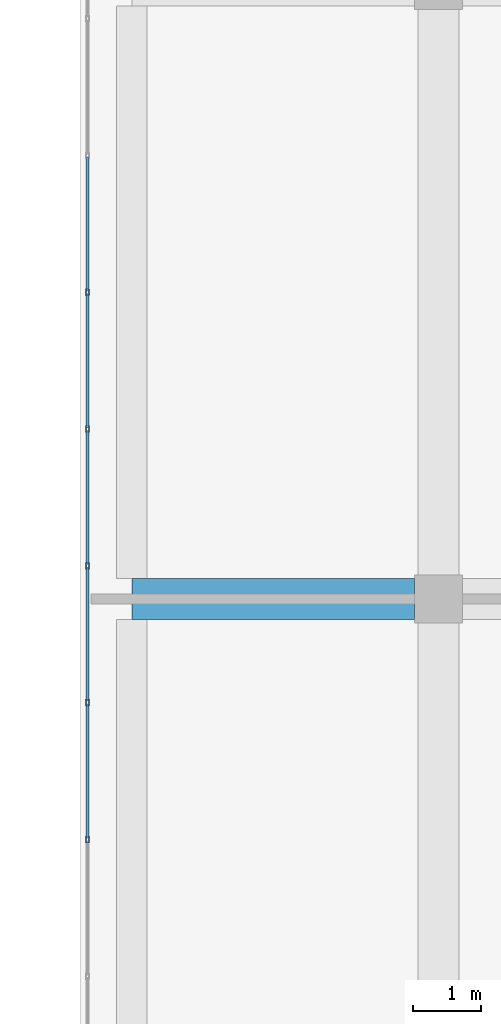
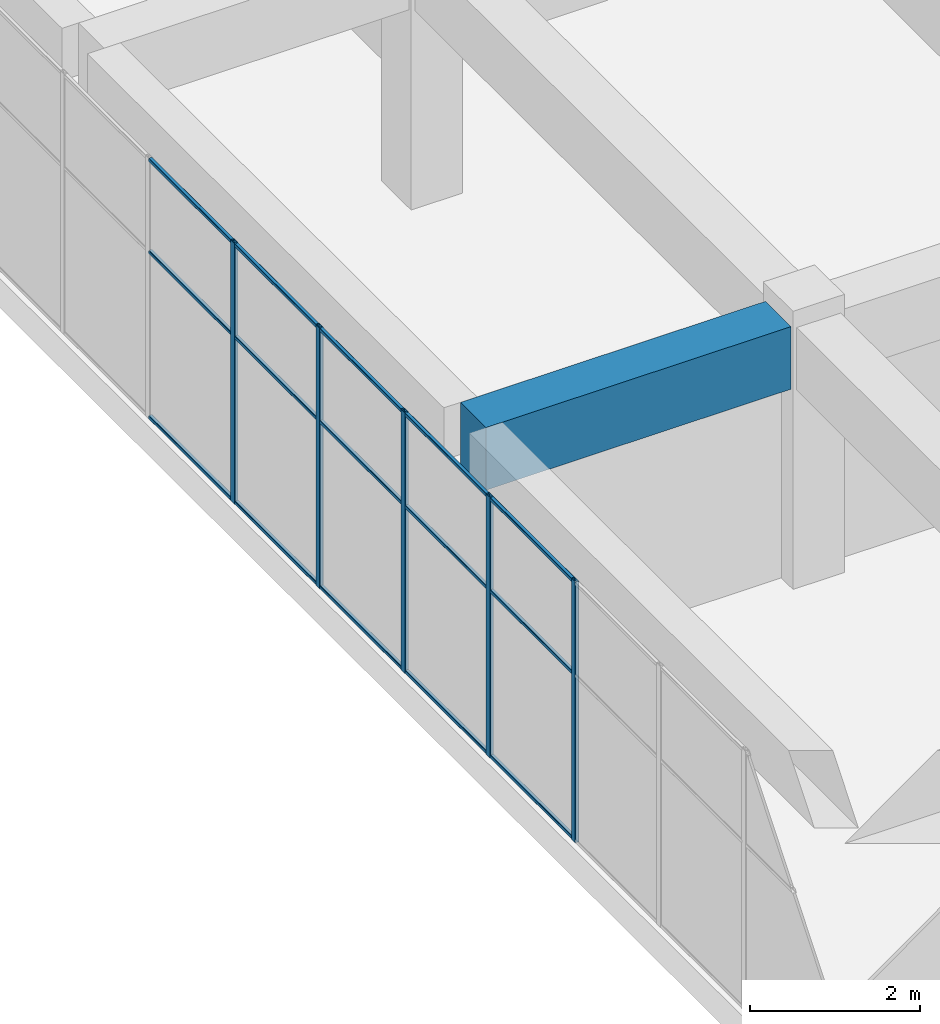
# One storey, part 18 of 49: 20 members, 1 beam, 1 element without a shape of its own.
"""IFC4 building model written with IfcOpenShell, lengths in metres."""

from ifc_helpers import new_model, si_unit, direction, frame, origin, origin_2d, place, context, subcontext, project, spatial, rectangle, hollow_rectangle, extrude, material, layer, layer_set, material_profile, profile_set, type_object, element, aggregate, save


model = new_model("IFC4")

# Units and contexts
model_context = context("Model", 3, precision=1e-05, world=origin(), true_north=direction((0.0, 1.0)))
body_context = subcontext(model_context, "Body", "Model", "MODEL_VIEW")
ifc_project = project(units=[si_unit("LENGTHUNIT", "METRE"), si_unit("AREAUNIT", "SQUARE_METRE"), si_unit("VOLUMEUNIT", "CUBIC_METRE"), si_unit("PLANEANGLEUNIT", "RADIAN"), si_unit("MASSUNIT", "GRAM", prefix="KILO")], contexts=[model_context])

# Site, building, storey
site_placement = place(None, origin())
site = spatial("IfcSite", under=ifc_project, at=site_placement, CompositionType="ELEMENT")
building_placement = place(site_placement, origin())
building = spatial("IfcBuilding", under=site, at=building_placement, Name="Tuart Plaza Theatre", CompositionType="ELEMENT")
storey_placement = place(building_placement, frame((0.0, 0.0, 29.5)))
storey = spatial("IfcBuildingStorey", under=building, at=storey_placement, Name="L07", CompositionType="ELEMENT", Elevation=29.5)

# Beam
ifc_material_1 = material(Name="Concrete N40 (40 MPa)", Category="concrete")
ifc_material_profile_1 = material_profile(ifc_material_1, rectangle(XDim=0.60009765625, YDim=0.89990234375, at=origin_2d()), Name="BEAM 600x900 Concrete N40 (40 MPa)")
ifc_profile_set_1 = profile_set([ifc_material_profile_1], Name="Concrete N40 (40 MPa)")
beam_type = type_object("IfcBeamType", Name="BEAM 600x900 Concrete N40 (40 MPa)", PredefinedType="BEAM", material=ifc_profile_set_1)
beam_placement = place(storey_placement, frame((109.5, 74.0, 3.300048828125), z_axis=(1.0, 0.0, 0.0), x_axis=(0.0, 1.0, 0.0)))
element("IfcBeam", 1, at=beam_placement, inside=storey, type_object=beam_type, Name="RB251", PredefinedType="BEAM", context=body_context, shape_type="SweptSolid", body=[
    extrude(rectangle(XDim=0.60009765625, YDim=0.89990234375, at=origin_2d()), origin(), (0.0, 0.0, 1.0), 4.14990234375),
])

# Curtain wall, members
ifc_material_2 = material(Name="Aluminium and glass", Category="aluminium")
ifc_layer = layer(ifc_material_2, 0.10009765625)
ifc_layer_set = layer_set([ifc_layer], Name="CURTAIN WALL 2000 module")
curtain_wall_type = type_object("IfcCurtainWallType", Name="CURTAIN WALL 2000 module", PredefinedType="NOTDEFINED", material=ifc_layer_set)
curtain_wall_placement = place(storey_placement, origin())
curtain_wall = element("IfcCurtainWall", 2, at=curtain_wall_placement, inside=storey, type_object=curtain_wall_type, Name="CW97", PredefinedType="NOTDEFINED")
ifc_material_3 = material(Name="Aluminium 6063-T5", Category="aluminium")
ifc_material_profile_2 = material_profile(ifc_material_3, hollow_rectangle(XDim=0.050048828125, YDim=0.10009765625, WallThickness=0.00390625, InnerFilletRadius=0.00390625, OuterFilletRadius=0.008056640625, at=origin_2d()), Name="RHS 100x50x4")
ifc_profile_set_2 = profile_set([ifc_material_profile_2], Name="Aluminium 6063-T5")
member_type_1 = type_object("IfcMemberType", Name="MULLION RHS 100x50x4", PredefinedType="MULLION", material=ifc_profile_set_2)
member_1_placement = place(storey_placement, frame((108.85009765625, 78.5, 0.0), z_axis=(0.0, 0.0, 1.0), x_axis=(1.0, 0.0, 0.0)))
member_1 = element("IfcMember", 3, at=member_1_placement, type_object=member_type_1, Name="CW97 mullion 8", PredefinedType="MULLION", context=body_context, shape_type="SweptSolid", body=[
    extrude(hollow_rectangle(XDim=0.050048828125, YDim=0.10009765625, WallThickness=0.00390625, InnerFilletRadius=0.00390625, OuterFilletRadius=0.008056640625, at=origin_2d()), origin(), (0.0, 0.0, 1.0), 3.75),
])
member_2_placement = place(storey_placement, frame((108.85009765625, 76.492919921875, 0.0), z_axis=(0.0, 0.0, 1.0), x_axis=(1.0, 0.0, 0.0)))
member_2 = element("IfcMember", 4, at=member_2_placement, type_object=member_type_1, Name="CW97 mullion 9", PredefinedType="MULLION", context=body_context, shape_type="SweptSolid", body=[
    extrude(hollow_rectangle(XDim=0.050048828125, YDim=0.10009765625, WallThickness=0.00390625, InnerFilletRadius=0.00390625, OuterFilletRadius=0.008056640625, at=origin_2d()), origin(), (0.0, 0.0, 1.0), 3.75),
])
member_3_placement = place(storey_placement, frame((108.85009765625, 74.485595703125, 0.0), z_axis=(0.0, 0.0, 1.0), x_axis=(1.0, 0.0, 0.0)))
member_3 = element("IfcMember", 5, at=member_3_placement, type_object=member_type_1, Name="CW97 mullion 10", PredefinedType="MULLION", context=body_context, shape_type="SweptSolid", body=[
    extrude(hollow_rectangle(XDim=0.050048828125, YDim=0.10009765625, WallThickness=0.00390625, InnerFilletRadius=0.00390625, OuterFilletRadius=0.008056640625, at=origin_2d()), origin(), (0.0, 0.0, 1.0), 3.75),
])
member_4_placement = place(storey_placement, frame((108.85009765625, 72.478515625, 0.0), z_axis=(0.0, 0.0, 1.0), x_axis=(1.0, 0.0, 0.0)))
member_4 = element("IfcMember", 6, at=member_4_placement, type_object=member_type_1, Name="CW97 mullion 11", PredefinedType="MULLION", context=body_context, shape_type="SweptSolid", body=[
    extrude(hollow_rectangle(XDim=0.050048828125, YDim=0.10009765625, WallThickness=0.00390625, InnerFilletRadius=0.00390625, OuterFilletRadius=0.008056640625, at=origin_2d()), origin(), (0.0, 0.0, 1.0), 3.75),
])
member_5_placement = place(storey_placement, frame((108.85009765625, 70.471435546875, 0.0), z_axis=(0.0, 0.0, 1.0), x_axis=(1.0, 0.0, 0.0)))
member_5 = element("IfcMember", 7, at=member_5_placement, type_object=member_type_1, Name="CW97 mullion 12", PredefinedType="MULLION", context=body_context, shape_type="SweptSolid", body=[
    extrude(hollow_rectangle(XDim=0.050048828125, YDim=0.10009765625, WallThickness=0.00390625, InnerFilletRadius=0.00390625, OuterFilletRadius=0.008056640625, at=origin_2d()), origin(), (0.0, 0.0, 1.0), 3.75),
])
ifc_material_4 = material(Name="Aluminium 6063-T5", Category="aluminium")
ifc_material_profile_3 = material_profile(ifc_material_4, hollow_rectangle(XDim=0.050048828125, YDim=0.050048828125, WallThickness=0.00390625, InnerFilletRadius=0.00390625, OuterFilletRadius=0.008056640625, at=origin_2d()), Name="RHS 50x50x4")
ifc_profile_set_3 = profile_set([ifc_material_profile_3], Name="Aluminium 6063-T5")
member_type_2 = type_object("IfcMemberType", Name="TRANSOM RHS 50x50x4", PredefinedType="USERDEFINED", material=ifc_profile_set_3)
member_6_placement = place(storey_placement, frame((108.85009765625, 80.482177734375, 0.02490234375), z_axis=(0.0, -1.0, 0.0), x_axis=(1.0, 0.0, 0.0)))
member_6 = element("IfcMember", 8, at=member_6_placement, type_object=member_type_2, Name="CW97 transom 7.1", ObjectType="TRANSOM", PredefinedType="USERDEFINED", context=body_context, shape_type="SweptSolid", body=[
    extrude(hollow_rectangle(XDim=0.050048828125, YDim=0.050048828125, WallThickness=0.00390625, InnerFilletRadius=0.00390625, OuterFilletRadius=0.008056640625, at=origin_2d()), origin(), (0.0, 0.0, 1.0), 1.957275390625),
])
member_7_placement = place(storey_placement, frame((108.85009765625, 80.482177734375, 2.39990234375), z_axis=(0.0, -1.0, 0.0), x_axis=(1.0, 0.0, 0.0)))
member_7 = element("IfcMember", 9, at=member_7_placement, type_object=member_type_2, Name="CW97 transom 7.2", ObjectType="TRANSOM", PredefinedType="USERDEFINED", context=body_context, shape_type="SweptSolid", body=[
    extrude(hollow_rectangle(XDim=0.050048828125, YDim=0.050048828125, WallThickness=0.00390625, InnerFilletRadius=0.00390625, OuterFilletRadius=0.008056640625, at=origin_2d()), origin(), (0.0, 0.0, 1.0), 1.957275390625),
])
member_8_placement = place(storey_placement, frame((108.85009765625, 80.482177734375, 3.72509765625), z_axis=(0.0, -1.0, 0.0), x_axis=(1.0, 0.0, 0.0)))
member_8 = element("IfcMember", 10, at=member_8_placement, type_object=member_type_2, Name="CW97 transom 7.3", ObjectType="TRANSOM", PredefinedType="USERDEFINED", context=body_context, shape_type="SweptSolid", body=[
    extrude(hollow_rectangle(XDim=0.050048828125, YDim=0.050048828125, WallThickness=0.00390625, InnerFilletRadius=0.00390625, OuterFilletRadius=0.008056640625, at=origin_2d()), origin(), (0.0, 0.0, 1.0), 1.957275390625),
])
member_9_placement = place(storey_placement, frame((108.85009765625, 78.47509765625, 0.02490234375), z_axis=(0.0, -1.0, 0.0), x_axis=(1.0, 0.0, 0.0)))
member_9 = element("IfcMember", 11, at=member_9_placement, type_object=member_type_2, Name="CW97 transom 8.1", ObjectType="TRANSOM", PredefinedType="USERDEFINED", context=body_context, shape_type="SweptSolid", body=[
    extrude(hollow_rectangle(XDim=0.050048828125, YDim=0.050048828125, WallThickness=0.00390625, InnerFilletRadius=0.00390625, OuterFilletRadius=0.008056640625, at=origin_2d()), origin(), (0.0, 0.0, 1.0), 1.957275390625),
])
member_10_placement = place(storey_placement, frame((108.85009765625, 78.47509765625, 2.39990234375), z_axis=(0.0, -1.0, 0.0), x_axis=(1.0, 0.0, 0.0)))
member_10 = element("IfcMember", 12, at=member_10_placement, type_object=member_type_2, Name="CW97 transom 8.2", ObjectType="TRANSOM", PredefinedType="USERDEFINED", context=body_context, shape_type="SweptSolid", body=[
    extrude(hollow_rectangle(XDim=0.050048828125, YDim=0.050048828125, WallThickness=0.00390625, InnerFilletRadius=0.00390625, OuterFilletRadius=0.008056640625, at=origin_2d()), origin(), (0.0, 0.0, 1.0), 1.957275390625),
])
member_11_placement = place(storey_placement, frame((108.85009765625, 78.47509765625, 3.72509765625), z_axis=(0.0, -1.0, 0.0), x_axis=(1.0, 0.0, 0.0)))
member_11 = element("IfcMember", 13, at=member_11_placement, type_object=member_type_2, Name="CW97 transom 8.3", ObjectType="TRANSOM", PredefinedType="USERDEFINED", context=body_context, shape_type="SweptSolid", body=[
    extrude(hollow_rectangle(XDim=0.050048828125, YDim=0.050048828125, WallThickness=0.00390625, InnerFilletRadius=0.00390625, OuterFilletRadius=0.008056640625, at=origin_2d()), origin(), (0.0, 0.0, 1.0), 1.957275390625),
])
member_12_placement = place(storey_placement, frame((108.85009765625, 76.4677734375, 0.02490234375), z_axis=(0.0, -1.0, 0.0), x_axis=(1.0, 0.0, 0.0)))
member_12 = element("IfcMember", 14, at=member_12_placement, type_object=member_type_2, Name="CW97 transom 9.1", ObjectType="TRANSOM", PredefinedType="USERDEFINED", context=body_context, shape_type="SweptSolid", body=[
    extrude(hollow_rectangle(XDim=0.050048828125, YDim=0.050048828125, WallThickness=0.00390625, InnerFilletRadius=0.00390625, OuterFilletRadius=0.008056640625, at=origin_2d()), origin(), (0.0, 0.0, 1.0), 1.95703125),
])
member_13_placement = place(storey_placement, frame((108.85009765625, 76.4677734375, 2.39990234375), z_axis=(0.0, -1.0, 0.0), x_axis=(1.0, 0.0, 0.0)))
member_13 = element("IfcMember", 15, at=member_13_placement, type_object=member_type_2, Name="CW97 transom 9.2", ObjectType="TRANSOM", PredefinedType="USERDEFINED", context=body_context, shape_type="SweptSolid", body=[
    extrude(hollow_rectangle(XDim=0.050048828125, YDim=0.050048828125, WallThickness=0.00390625, InnerFilletRadius=0.00390625, OuterFilletRadius=0.008056640625, at=origin_2d()), origin(), (0.0, 0.0, 1.0), 1.95703125),
])
member_14_placement = place(storey_placement, frame((108.85009765625, 76.4677734375, 3.72509765625), z_axis=(0.0, -1.0, 0.0), x_axis=(1.0, 0.0, 0.0)))
member_14 = element("IfcMember", 16, at=member_14_placement, type_object=member_type_2, Name="CW97 transom 9.3", ObjectType="TRANSOM", PredefinedType="USERDEFINED", context=body_context, shape_type="SweptSolid", body=[
    extrude(hollow_rectangle(XDim=0.050048828125, YDim=0.050048828125, WallThickness=0.00390625, InnerFilletRadius=0.00390625, OuterFilletRadius=0.008056640625, at=origin_2d()), origin(), (0.0, 0.0, 1.0), 1.95703125),
])
member_15_placement = place(storey_placement, frame((108.85009765625, 74.460693359375, 0.02490234375), z_axis=(0.0, -1.0, 0.0), x_axis=(1.0, 0.0, 0.0)))
member_15 = element("IfcMember", 17, at=member_15_placement, type_object=member_type_2, Name="CW97 transom 10.1", ObjectType="TRANSOM", PredefinedType="USERDEFINED", context=body_context, shape_type="SweptSolid", body=[
    extrude(hollow_rectangle(XDim=0.050048828125, YDim=0.050048828125, WallThickness=0.00390625, InnerFilletRadius=0.00390625, OuterFilletRadius=0.008056640625, at=origin_2d()), origin(), (0.0, 0.0, 1.0), 1.95703125),
])
member_16_placement = place(storey_placement, frame((108.85009765625, 74.460693359375, 2.39990234375), z_axis=(0.0, -1.0, 0.0), x_axis=(1.0, 0.0, 0.0)))
member_16 = element("IfcMember", 18, at=member_16_placement, type_object=member_type_2, Name="CW97 transom 10.2", ObjectType="TRANSOM", PredefinedType="USERDEFINED", context=body_context, shape_type="SweptSolid", body=[
    extrude(hollow_rectangle(XDim=0.050048828125, YDim=0.050048828125, WallThickness=0.00390625, InnerFilletRadius=0.00390625, OuterFilletRadius=0.008056640625, at=origin_2d()), origin(), (0.0, 0.0, 1.0), 1.95703125),
])
member_17_placement = place(storey_placement, frame((108.85009765625, 74.460693359375, 3.72509765625), z_axis=(0.0, -1.0, 0.0), x_axis=(1.0, 0.0, 0.0)))
member_17 = element("IfcMember", 19, at=member_17_placement, type_object=member_type_2, Name="CW97 transom 10.3", ObjectType="TRANSOM", PredefinedType="USERDEFINED", context=body_context, shape_type="SweptSolid", body=[
    extrude(hollow_rectangle(XDim=0.050048828125, YDim=0.050048828125, WallThickness=0.00390625, InnerFilletRadius=0.00390625, OuterFilletRadius=0.008056640625, at=origin_2d()), origin(), (0.0, 0.0, 1.0), 1.95703125),
])
member_18_placement = place(storey_placement, frame((108.85009765625, 72.45361328125, 0.02490234375), z_axis=(0.0, -1.0, 0.0), x_axis=(1.0, 0.0, 0.0)))
member_18 = element("IfcMember", 20, at=member_18_placement, type_object=member_type_2, Name="CW97 transom 11.1", ObjectType="TRANSOM", PredefinedType="USERDEFINED", context=body_context, shape_type="SweptSolid", body=[
    extrude(hollow_rectangle(XDim=0.050048828125, YDim=0.050048828125, WallThickness=0.00390625, InnerFilletRadius=0.00390625, OuterFilletRadius=0.008056640625, at=origin_2d()), origin(), (0.0, 0.0, 1.0), 1.957275390625),
])
member_19_placement = place(storey_placement, frame((108.85009765625, 72.45361328125, 2.39990234375), z_axis=(0.0, -1.0, 0.0), x_axis=(1.0, 0.0, 0.0)))
member_19 = element("IfcMember", 21, at=member_19_placement, type_object=member_type_2, Name="CW97 transom 11.2", ObjectType="TRANSOM", PredefinedType="USERDEFINED", context=body_context, shape_type="SweptSolid", body=[
    extrude(hollow_rectangle(XDim=0.050048828125, YDim=0.050048828125, WallThickness=0.00390625, InnerFilletRadius=0.00390625, OuterFilletRadius=0.008056640625, at=origin_2d()), origin(), (0.0, 0.0, 1.0), 1.957275390625),
])
member_20_placement = place(storey_placement, frame((108.85009765625, 72.45361328125, 3.72509765625), z_axis=(0.0, -1.0, 0.0), x_axis=(1.0, 0.0, 0.0)))
member_20 = element("IfcMember", 22, at=member_20_placement, type_object=member_type_2, Name="CW97 transom 11.3", ObjectType="TRANSOM", PredefinedType="USERDEFINED", context=body_context, shape_type="SweptSolid", body=[
    extrude(hollow_rectangle(XDim=0.050048828125, YDim=0.050048828125, WallThickness=0.00390625, InnerFilletRadius=0.00390625, OuterFilletRadius=0.008056640625, at=origin_2d()), origin(), (0.0, 0.0, 1.0), 1.957275390625),
])
aggregate(curtain_wall, [member_1, member_2, member_3, member_4, member_5, member_6, member_7, member_8, member_9, member_10, member_11, member_12, member_13, member_14, member_15, member_16, member_17, member_18, member_19, member_20])

save(model, "model.ifc")
